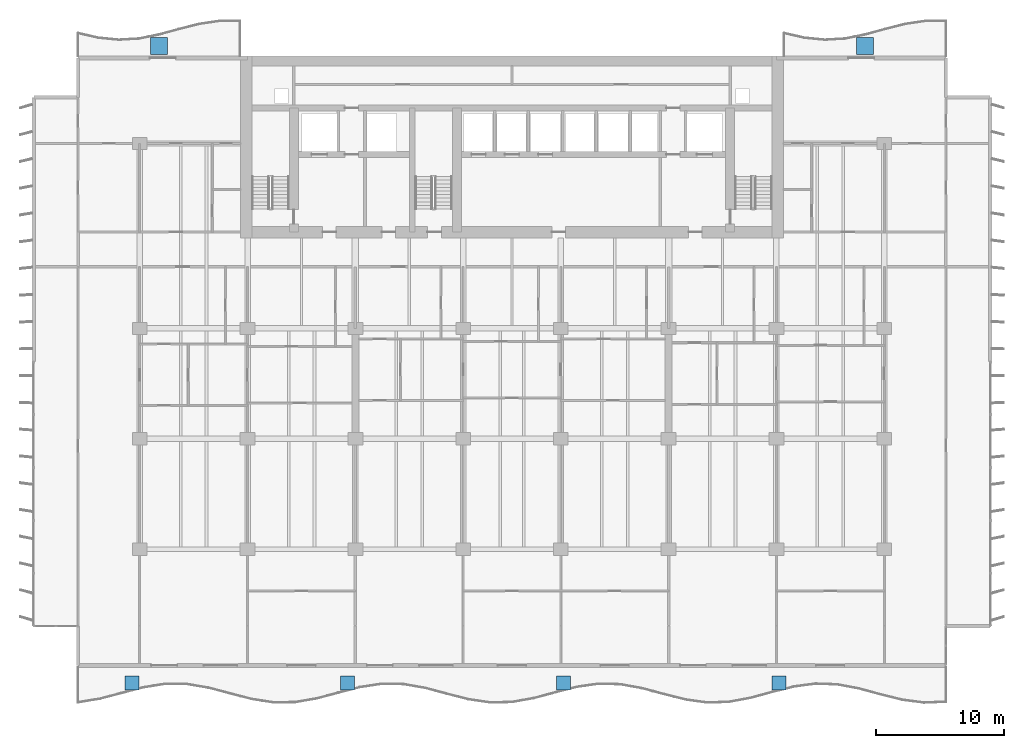
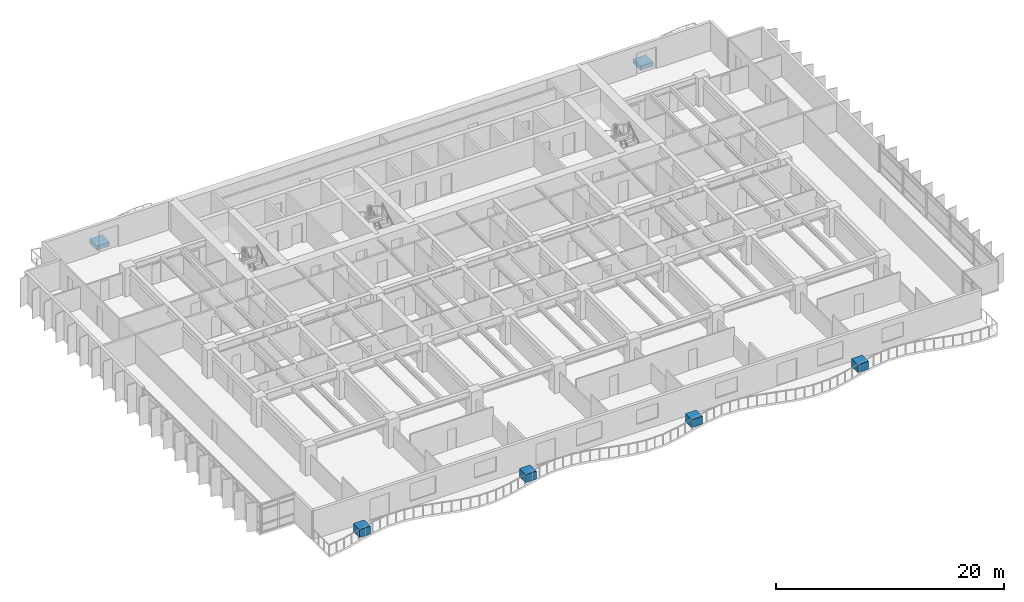
# One storey, part 12 of 16: 6 discrete accessories.
"""IFC4 building model written with IfcOpenShell, lengths in metres."""

import ifcopenshell
import ifcopenshell.guid

model = None  # the IFC model being written
_history = None  # IfcOwnerHistory: only IFC2X3 demands one
_inside = {}  # id of a spatial element -> (the spatial element, [elements in it])
_under = {}  # id of a project, library or spatial element -> (it, [spatial elements below it])
_declared = {}  # id of a project -> (the project, [libraries it declares])
_typed = {}  # id of a type object -> (the type object, [elements of that type])
_made_of = {}  # id of a material, layer set ... -> (it, [elements and type objects made of it])


def new_model(schema):
    """Start an empty IFC model of exactly this schema.

    Asked for "IFC4X3", IfcOpenShell would pick the latest addendum, in which some entities
    have other attributes; the version numbers below select the first issue.
    IFC2X3 requires an IfcOwnerHistory on every rooted entity: one is made here for all.
    """
    global model, _history
    if schema == "IFC4X3":
        model = ifcopenshell.file(schema_version=(4, 3, 0, 0))
    else:
        model = ifcopenshell.file(schema=schema)
    _inside.clear()
    _under.clear()
    _declared.clear()
    _typed.clear()
    _made_of.clear()
    _history = None
    if model.schema == "IFC2X3":
        org = make("IfcOrganization", Name="unknown")
        user = make(
            "IfcPersonAndOrganization",
            ThePerson=make("IfcPerson", FamilyName="unknown"),
            TheOrganization=org,
        )
        app = make(
            "IfcApplication",
            ApplicationDeveloper=org,
            Version="unknown",
            ApplicationFullName="unknown",
            ApplicationIdentifier="unknown",
        )
        _history = make(
            "IfcOwnerHistory",
            OwningUser=user,
            OwningApplication=app,
            ChangeAction="ADDED",
            CreationDate=0,
        )
    return model


def make(cls, **values):
    """One entity of the class cls with the attributes given. An attribute that is None is left unset."""
    return model.create_entity(
        cls, **{name: value for name, value in values.items() if value is not None}
    )


def rooted(cls, **values):
    """An entity with a GlobalId (a new one), such as an element, a storey or a relation."""
    return make(cls, GlobalId=ifcopenshell.guid.new(), OwnerHistory=_history, **values)


def si_unit(unit_type, name, prefix=None):
    """IfcSIUnit, for example si_unit("LENGTHUNIT", "METRE", prefix="MILLI")."""
    return make("IfcSIUnit", UnitType=unit_type, Prefix=prefix, Name=name)


def assignment(units):
    """IfcUnitAssignment: the units of a project."""
    return None if units is None else make("IfcUnitAssignment", Units=units)


def point(xyz):
    """IfcCartesianPoint."""
    return None if xyz is None else make("IfcCartesianPoint", Coordinates=xyz)


def direction(xyz):
    """IfcDirection."""
    return None if xyz is None else make("IfcDirection", DirectionRatios=xyz)


def frame(location, z_axis=None, x_axis=None):
    """IfcAxis2Placement3D, a coordinate frame: its origin and axes. An axis left out is left unset."""
    return make(
        "IfcAxis2Placement3D",
        Location=point(location),
        Axis=direction(z_axis),
        RefDirection=direction(x_axis),
    )


def frame_2d(location, x_axis=None):
    """IfcAxis2Placement2D, a coordinate frame in the plane: its origin and x axis."""
    return make(
        "IfcAxis2Placement2D", Location=point(location), RefDirection=direction(x_axis)
    )


def origin():
    """The frame at (0, 0, 0) with its axes left unset."""
    return frame((0.0, 0.0, 0.0))


def origin_2d():
    """The frame at (0, 0) in the plane with its x axis left unset."""
    return frame_2d((0.0, 0.0))


def place(relative_to, where):
    """IfcLocalPlacement: puts the frame where relative to a parent placement (None: the world)."""
    return make(
        "IfcLocalPlacement", PlacementRelTo=relative_to, RelativePlacement=where
    )


def context(
    kind, dimensions, precision=None, world=None, true_north=None, identifier=None
):
    """IfcGeometricRepresentationContext, for example the 3D "Model" context."""
    return make(
        "IfcGeometricRepresentationContext",
        ContextIdentifier=identifier,
        ContextType=kind,
        CoordinateSpaceDimension=dimensions,
        Precision=precision,
        WorldCoordinateSystem=world,
        TrueNorth=true_north,
    )


def subcontext(parent, identifier, kind, view, scale=None):
    """IfcGeometricRepresentationSubContext, for example "Body" below "Model"."""
    return make(
        "IfcGeometricRepresentationSubContext",
        ContextIdentifier=identifier,
        ContextType=kind,
        ParentContext=parent,
        TargetScale=scale,
        TargetView=view,
    )


def project(units=None, contexts=None):
    """IfcProject with its units and contexts."""
    return rooted(
        "IfcProject",
        Name="project",
        RepresentationContexts=contexts,
        UnitsInContext=assignment(units),
    )


def spatial(cls, under=None, at=None, **own):
    """A site, building, storey or space (cls), placed at a placement, below another one or the project."""
    s = rooted(cls, ObjectPlacement=at, **own)
    if under is not None:
        _under.setdefault(under.id(), (under, []))[1].append(s)
    return s


def profile(cls, at=None, kind="AREA", **sizes):
    """A parametric profile (cls). Its sizes go by their IFC names, for example OverallWidth=200.0."""
    return make(cls, ProfileType=kind, Position=at, **sizes)


def rectangle(**sizes):
    """IfcRectangleProfileDef."""
    return profile("IfcRectangleProfileDef", **sizes)


def extrude(swept, where, along, depth):
    """IfcExtrudedAreaSolid: the profile swept, set in the frame where, extruded along a direction by depth."""
    return make(
        "IfcExtrudedAreaSolid",
        SweptArea=swept,
        Position=where,
        ExtrudedDirection=direction(along),
        Depth=depth,
    )


def shape(context_of_items, identifier, shape_type, items):
    """IfcShapeRepresentation: the items that make up one representation, for example the "Body"."""
    return make(
        "IfcShapeRepresentation",
        ContextOfItems=context_of_items,
        RepresentationIdentifier=identifier,
        RepresentationType=shape_type,
        Items=items,
    )


def material(Name=None, Category=None):
    """IfcMaterial."""
    return make("IfcMaterial", Name=Name, Category=Category)


def made_of(thing, what):
    """Note that an element or type object is made of a material, layer set ...; save() writes the relation."""
    if what is not None:
        _made_of.setdefault(what.id(), (what, []))[1].append(thing)
    return thing


def type_object(cls, material=None, **own):
    """A type object (cls), such as IfcWallType, which elements share."""
    return made_of(rooted(cls, **own), material)


def element(
    cls,
    number,
    at=None,
    inside=None,
    cuts=None,
    type_object=None,
    material=None,
    context=None,
    identifier="Body",
    shape_type=None,
    held_by="IfcProductDefinitionShape",
    body=None,
    shapes=None,
    **own,
):
    """One element of the class cls, such as IfcWall. Its Tag is "e" and its number.

    at: its placement. inside: the storey or other place that contains it. cuts: it is an
    opening in that element (IfcRelVoidsElement). A single representation is given by context,
    identifier, shape_type and body (its items); several are given by shapes. held_by: the class
    of the entity that holds the representations. save() writes the other relations.
    """
    e = rooted(cls, Tag="e%d" % number, ObjectPlacement=at, **own)
    if body is not None:
        shapes = [shape(context, identifier, shape_type, body)]
    if shapes is not None:
        e.Representation = make(held_by, Representations=shapes)
    if inside is not None:
        _inside.setdefault(inside.id(), (inside, []))[1].append(e)
    if cuts is not None:
        rooted(
            "IfcRelVoidsElement", RelatingBuildingElement=cuts, RelatedOpeningElement=e
        )
    if type_object is not None:
        _typed.setdefault(type_object.id(), (type_object, []))[1].append(e)
    return made_of(e, material)


def aggregate(whole, parts):
    """IfcRelAggregates: a whole, such as a stair, and the parts it consists of."""
    return rooted("IfcRelAggregates", RelatingObject=whole, RelatedObjects=parts)


def save(model, path):
    """Write the relations noted so far, then the file.

    IfcRelAggregates (storeys below a building ...), IfcRelContainedInSpatialStructure (elements
    in a storey), IfcRelDefinesByType, IfcRelAssociatesMaterial and IfcRelDeclares: one each for
    every whole, place, type object, material and project.
    """
    for whole, parts in _under.values():
        aggregate(whole, parts)
    for where, things in _inside.values():
        rooted(
            "IfcRelContainedInSpatialStructure",
            RelatedElements=things,
            RelatingStructure=where,
        )
    for kind, things in _typed.values():
        rooted("IfcRelDefinesByType", RelatedObjects=things, RelatingType=kind)
    for what, things in _made_of.values():
        rooted("IfcRelAssociatesMaterial", RelatedObjects=things, RelatingMaterial=what)
    for by, libraries in _declared.values():
        rooted("IfcRelDeclares", RelatingContext=by, RelatedDefinitions=libraries)
    model.write(path)


model = new_model("IFC4")

# Units and contexts
model_context = context("Model", 3, precision=1e-05, world=origin(), true_north=direction((0.0, 1.0)))
body_context = subcontext(model_context, "Body", "Model", "MODEL_VIEW")
ifc_project = project(units=[si_unit("LENGTHUNIT", "METRE"), si_unit("AREAUNIT", "SQUARE_METRE"), si_unit("VOLUMEUNIT", "CUBIC_METRE"), si_unit("PLANEANGLEUNIT", "RADIAN"), si_unit("MASSUNIT", "GRAM", prefix="KILO")], contexts=[model_context])

# Site, building, storey
site_placement = place(None, origin())
site = spatial("IfcSite", under=ifc_project, at=site_placement, CompositionType="ELEMENT")
building_placement = place(site_placement, origin())
building = spatial("IfcBuilding", under=site, at=building_placement, Name="Caelmar Bay Residences", CompositionType="ELEMENT")
storey_placement = place(building_placement, frame((0.0, 0.0, 72.89990234375)))
storey = spatial("IfcBuildingStorey", under=building, at=storey_placement, Name="L19", CompositionType="ELEMENT", Elevation=72.89990234375)

# Discrete accessories
ifc_material_1 = material(Name="Architectural bronze GRC planter trough with volcanic-lapilli substrate")
discrete_accessory_type_1 = type_object("IfcDiscreteAccessoryType", Name="ACC-PLANTER-1100", PredefinedType="USERDEFINED", material=ifc_material_1)
for number, where, z_axis, x_axis, name in (
    (1, (9.300048828125, 1.78173828125, 0.0), (0.0, 0.0, 1.0), (1.0, 0.0, 0.0), "L19 Balcony Structural Tree Planter 1"),
    (2, (26.10009765625, 1.78173828125, 0.0), (0.0, 0.0, 1.0), (1.0, 0.0, 0.0), "L19 Balcony Structural Tree Planter 2"),
    (3, (42.89990234375, 1.78173828125, 0.0), (0.0, 0.0, 1.0), (1.0, 0.0, 0.0), "L19 Balcony Structural Tree Planter 3"),
    (4, (59.699951171875, 1.78173828125, 0.0), (0.0, 0.0, 1.0), (1.0, 0.0, 0.0), "L19 Balcony Structural Tree Planter 4"),
):
    element("IfcDiscreteAccessory", number, at=place(storey_placement, frame(where, z_axis=z_axis, x_axis=x_axis)), inside=storey, type_object=discrete_accessory_type_1, Name=name, ObjectType="PLANTER", PredefinedType="USERDEFINED", context=body_context, shape_type="SweptSolid", body=[
        extrude(rectangle(XDim=1.10009765625, YDim=1.10009765625, at=origin_2d()), origin(), (0.0, 0.0, 1.0), 0.85009765625),
    ])
ifc_material_2 = material(Name="Precast concrete f'c 40 MPa (6,000 psi)", Category="concrete")
discrete_accessory_type_2 = type_object("IfcDiscreteAccessoryType", Name="STR-PLANTER-KERB-450", PredefinedType="USERDEFINED", material=ifc_material_2)
for number, where, z_axis, x_axis, name in (
    (5, (11.39990234375, 51.39990234375, 0.0), (0.0, 0.0, 1.0), (1.0, 0.0, 0.0), "L19 north_west Structural Tree Planter Kerb"),
    (6, (66.39990234375, 51.39990234375, 0.0), (0.0, 0.0, 1.0), (1.0, 0.0, 0.0), "L19 north_east Structural Tree Planter Kerb"),
):
    element("IfcDiscreteAccessory", number, at=place(storey_placement, frame(where, z_axis=z_axis, x_axis=x_axis)), inside=storey, type_object=discrete_accessory_type_2, Name=name, ObjectType="PLANTER", PredefinedType="USERDEFINED", context=body_context, shape_type="SweptSolid", body=[
        extrude(rectangle(XDim=1.300048828125, YDim=1.300048828125, at=origin_2d()), origin(), (0.0, 0.0, 1.0), 0.449951171875),
    ])

save(model, "model.ifc")
